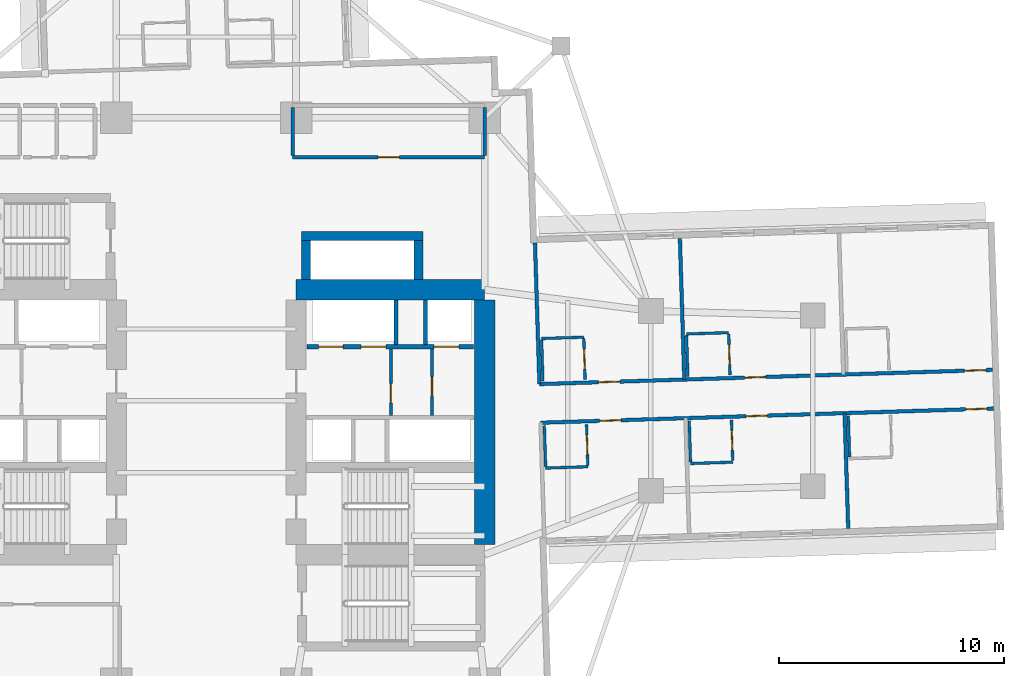
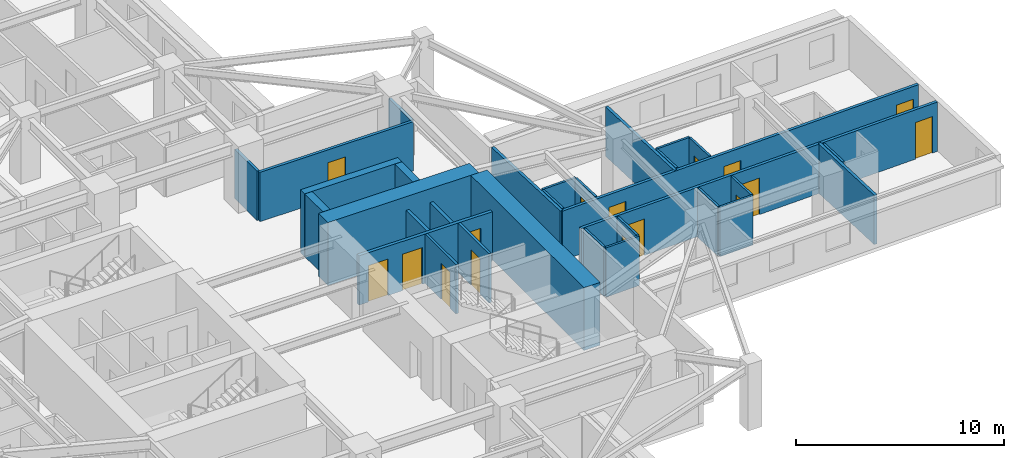
# One storey, part 7 of 14: 31 walls, 16 doors, 16 openings.
"""IFC4 building model written with IfcOpenShell, lengths in metres."""

from ifc_helpers import new_model, si_unit, direction, frame, frame_2d, origin, place, context, subcontext, project, spatial, rectangle, extrude, material, layer, layer_set, type_object, element, fill, save


model = new_model("IFC4")

# Units and contexts
model_context = context("Model", 3, precision=1e-05, world=origin(), true_north=direction((0.0, 1.0)))
body_context = subcontext(model_context, "Body", "Model", "MODEL_VIEW")
ifc_project = project(units=[si_unit("LENGTHUNIT", "METRE"), si_unit("AREAUNIT", "SQUARE_METRE"), si_unit("VOLUMEUNIT", "CUBIC_METRE"), si_unit("PLANEANGLEUNIT", "RADIAN"), si_unit("MASSUNIT", "GRAM", prefix="KILO")], contexts=[model_context])

# Site, building, storey
site_placement = place(None, origin())
site = spatial("IfcSite", under=ifc_project, at=site_placement, CompositionType="ELEMENT")
building_placement = place(site_placement, origin())
building = spatial("IfcBuilding", under=site, at=building_placement, Name="Qingluan Cross Belvedere", CompositionType="ELEMENT")
storey_placement = place(building_placement, frame((0.0, 0.0, 56.10009765625)))
storey = spatial("IfcBuildingStorey", under=building, at=storey_placement, Name="L14", CompositionType="ELEMENT", Elevation=56.10009765625)

# Walls
ifc_material_1 = material(Name="Concrete C50", Category="concrete")
ifc_layer_1 = layer(ifc_material_1, 0.449951171875, Name="CoreShearWall_450")
ifc_layer_set_1 = layer_set([ifc_layer_1], Name="Concrete C50")
wall_type_1 = type_object("IfcWallType", Name="CoreShearWall_450", PredefinedType="SHEAR", material=ifc_layer_set_1)
wall_1_placement = place(storey_placement, frame((4.449951171875, 5.405029296875, 0.0), z_axis=(0.0, 0.0, 1.0), x_axis=(0.0, 1.0, 0.0)))
element("IfcWall", 1, at=wall_1_placement, inside=storey, type_object=wall_type_1, Name="Express shuttle core wall L14-W", PredefinedType="SHEAR", context=body_context, shape_type="SweptSolid", body=[
    extrude(rectangle(XDim=1.73486328125, YDim=0.39990234375, at=frame_2d((0.867431640625, 0.0))), origin(), (0.0, 0.0, 1.0), 3.699951171875),
])
wall_2_placement = place(storey_placement, frame((4.25, 7.35009765625, 0.0), z_axis=(0.0, 0.0, 1.0), x_axis=(1.0, 0.0, 0.0)))
element("IfcWall", 2, at=wall_2_placement, inside=storey, type_object=wall_type_1, Name="Express shuttle core wall L14-N", PredefinedType="SHEAR", context=body_context, shape_type="SweptSolid", body=[
    extrude(rectangle(XDim=5.39990234375, YDim=0.39990234375, at=frame_2d((2.699951171875, 0.0))), origin(), (0.0, 0.0, 1.0), 3.699951171875),
])
wall_3_placement = place(storey_placement, frame((9.449951171875, 5.405029296875, 0.0), z_axis=(0.0, 0.0, 1.0), x_axis=(0.0, 1.0, 0.0)))
element("IfcWall", 3, at=wall_3_placement, inside=storey, type_object=wall_type_1, Name="Express shuttle core wall L14-E", PredefinedType="SHEAR", context=body_context, shape_type="SweptSolid", body=[
    extrude(rectangle(XDim=1.73486328125, YDim=0.39990234375, at=frame_2d((0.867431640625, 0.0))), origin(), (0.0, 0.0, 1.0), 3.699951171875),
])
ifc_material_2 = material(Name="Concrete C70", Category="concrete")
ifc_layer_2 = layer(ifc_material_2, 0.89990234375, Name="CoreShearWall_900")
ifc_layer_set_2 = layer_set([ifc_layer_2], Name="Concrete C70")
wall_type_2 = type_object("IfcWallType", Name="CoreShearWall_900", PredefinedType="SHEAR", material=ifc_layer_set_2)
wall_4_placement = place(storey_placement, frame((4.0, 4.949951171875, 0.0), z_axis=(0.0, 0.0, 1.0), x_axis=(1.0, 0.0, 0.0)))
element("IfcWall", 4, at=wall_4_placement, inside=storey, type_object=wall_type_2, Name="Split core E shear wall L14-N", PredefinedType="SHEAR", context=body_context, shape_type="SweptSolid", body=[
    extrude(rectangle(XDim=8.39990234375, YDim=0.89990234375, at=frame_2d((4.199951171875, 0.0))), origin(), (0.0, 0.0, 1.0), 3.699951171875),
])
wall_5_placement = place(storey_placement, frame((12.39990234375, -6.39501953125, 0.0), z_axis=(0.0, 0.0, 1.0), x_axis=(0.0, 1.0, 0.0)))
element("IfcWall", 5, at=wall_5_placement, inside=storey, type_object=wall_type_2, Name="Split core E shear wall L14-E", PredefinedType="SHEAR", context=body_context, shape_type="SweptSolid", body=[
    extrude(rectangle(XDim=10.89013671875, YDim=0.89990234375, at=frame_2d((5.445068359375, 0.0))), origin(), (0.0, 0.0, 1.0), 3.699951171875),
])

# Wall, opening, door
ifc_material_3 = material(Name="Gypsum plasterboard on steel stud acoustic partition", Category="steel")
ifc_layer_3 = layer(ifc_material_3, 0.159912109375, Name="CorridorPartition_160")
ifc_layer_set_3 = layer_set([ifc_layer_3], Name="Gypsum plasterboard on steel stud acoustic partition")
wall_type_3 = type_object("IfcWallType", Name="CorridorPartition_160", PredefinedType="PARTITIONING", material=ifc_layer_set_3)
wall_6_placement = place(storey_placement, frame((10.050048828125, -0.652099609375, 0.0), z_axis=(0.0, 0.0, 1.0), x_axis=(0.0, 1.0, 0.0)))
wall_6 = element("IfcWall", 6, at=wall_6_placement, inside=storey, type_object=wall_type_3, Name="Partition L14:ev", PredefinedType="PARTITIONING", context=body_context, shape_type="SweptSolid", body=[
    extrude(rectangle(XDim=2.962158203125, YDim=0.139892578125, at=frame_2d((1.48095703125, 0.0))), origin(), (0.0, 0.0, 1.0), 2.89990234375),
])
opening_1_placement = place(wall_6_placement, frame((0.85009765625, 0.0, 0.0)))
opening_1 = element("IfcOpeningElement", 7, at=opening_1_placement, cuts=wall_6, Name="Opening FD-B10", PredefinedType="OPENING", context=body_context, shape_type="SweptSolid", body=[
    extrude(rectangle(XDim=0.8798828125, YDim=2.10009765625, at=frame_2d((0.43994140625, 1.050048828125))), frame((0.0, 0.079833984375, 0.0), z_axis=(0.0, -1.0, 0.0), x_axis=(1.0, 0.0, 0.0)), (0.0, 0.0, 1.0), 0.159912109375),
])
ifc_material_4 = material(Name="Steel Class B service fire door", Category="steel")
door_type_1 = type_object("IfcDoorType", Name="RiserServiceFireDoor_FDB", OperationType="NOTDEFINED", PredefinedType="DOOR", material=ifc_material_4)
door_1_placement = place(opening_1_placement, origin())
door_1 = element("IfcDoor", 8, at=door_1_placement, inside=storey, type_object=door_type_1, Name="Service closet inner door L14", OperationType="SINGLE_SWING_LEFT", OverallHeight=2.10009765625, OverallWidth=0.8798828125, PredefinedType="DOOR", context=body_context, shape_type="SweptSolid", body=[
    extrude(rectangle(XDim=0.8798828125, YDim=2.10009765625, at=frame_2d((0.43994140625, 1.050048828125))), frame((0.0, 0.02490234375, 0.0), z_axis=(0.0, -1.0, 0.0), x_axis=(1.0, 0.0, 0.0)), (0.0, 0.0, 1.0), 0.050048828125),
])
fill(opening_1, door_1)

wall_7_placement = place(storey_placement, frame((3.85009765625, 10.85009765625, 0.0), z_axis=(0.0, 0.0, 1.0), x_axis=(1.0, 0.0, 0.0)))
wall_7 = element("IfcWall", 9, at=wall_7_placement, inside=storey, type_object=wall_type_3, Name="Partition L14:q_ne:S", PredefinedType="PARTITIONING", context=body_context, shape_type="SweptSolid", body=[
    extrude(rectangle(XDim=8.5498046875, YDim=0.159912109375, at=frame_2d((4.27490234375, 0.0))), origin(), (0.0, 0.0, 1.0), 2.89990234375),
])
opening_2_placement = place(wall_7_placement, frame((3.794921875, 0.0, 0.0)))
opening_2 = element("IfcOpeningElement", 10, at=opening_2_placement, cuts=wall_7, Name="Opening GD-10", PredefinedType="OPENING", context=body_context, shape_type="SweptSolid", body=[
    extrude(rectangle(XDim=0.9599609375, YDim=2.14990234375, at=frame_2d((0.47998046875, 1.074951171875))), frame((0.0, 0.08984375, 0.0), z_axis=(0.0, -1.0, 0.0), x_axis=(1.0, 0.0, 0.0)), (0.0, 0.0, 1.0), 0.179931640625),
])
ifc_material_5 = material(Name="Timber oak fire-rated acoustic guestroom door", Category="wood")
door_type_2 = type_object("IfcDoorType", Name="GuestEntryDoor_FD60", OperationType="NOTDEFINED", PredefinedType="DOOR", material=ifc_material_5)
door_2_placement = place(opening_2_placement, origin())
door_2 = element("IfcDoor", 11, at=door_2_placement, inside=storey, type_object=door_type_2, Name="Wellness yoga studio L14 door", OperationType="SINGLE_SWING_LEFT", OverallHeight=2.14990234375, OverallWidth=0.9599609375, PredefinedType="DOOR", context=body_context, shape_type="SweptSolid", body=[
    extrude(rectangle(XDim=0.9599609375, YDim=2.14990234375, at=frame_2d((0.47998046875, 1.074951171875))), frame((0.0, 0.02490234375, 0.0), z_axis=(0.0, -1.0, 0.0), x_axis=(1.0, 0.0, 0.0)), (0.0, 0.0, 1.0), 0.050048828125),
])
fill(opening_2, door_2)

# Walls
for number, where, z_axis, x_axis, name in (
    (12, (3.85009765625, 10.93505859375, 0.0), (0.0, 0.0, 1.0), (0.0, 1.0, 0.0), "Partition L14:q_ne:W"),
    (13, (12.39990234375, 10.93505859375, 0.0), (0.0, 0.0, 1.0), (0.0, 1.0, 0.0), "Partition L14:q_ne:E"),
):
    element("IfcWall", number, at=place(storey_placement, frame(where, z_axis=z_axis, x_axis=x_axis)), inside=storey, type_object=wall_type_3, Name=name, PredefinedType="PARTITIONING", context=body_context, shape_type="SweptSolid", body=[
        extrude(rectangle(XDim=2.1298828125, YDim=0.159912109375, at=frame_2d((1.06494140625, 0.0))), origin(), (0.0, 0.0, 1.0), 2.89990234375),
    ])

# Wall, openings, doors
wall_8_placement = place(storey_placement, frame((14.833984375, 0.746337890625, 0.0), z_axis=(0.0, 0.0, 1.0), x_axis=(0.99950639469, 0.031416030536, 0.0)))
wall_8 = element("IfcWall", 14, at=wall_8_placement, inside=storey, type_object=wall_type_3, Name="Partition L14:E:c0", PredefinedType="PARTITIONING", context=body_context, shape_type="SweptSolid", body=[
    extrude(rectangle(XDim=20.181884765625, YDim=0.159912109375, at=frame_2d((10.0908203125, 0.0))), origin(), (0.0, 0.0, 1.0), 2.89990234375),
])
opening_3_placement = place(wall_8_placement, frame((2.6259765625, 0.0, 0.0)))
opening_3 = element("IfcOpeningElement", 15, at=opening_3_placement, cuts=wall_8, Name="Opening GD-10", PredefinedType="OPENING", context=body_context, shape_type="SweptSolid", body=[
    extrude(rectangle(XDim=0.9599609375, YDim=2.14990234375, at=frame_2d((0.47998046875, 1.074951171875))), frame((0.0, 0.08984375, 0.0), z_axis=(0.0, -1.0, 0.0), x_axis=(1.0, 0.0, 0.0)), (0.0, 0.0, 1.0), 0.179931640625),
])
opening_4_placement = place(wall_8_placement, frame((9.14306640625, 0.0, 0.0)))
opening_4 = element("IfcOpeningElement", 16, at=opening_4_placement, cuts=wall_8, Name="Opening GD-10", PredefinedType="OPENING", context=body_context, shape_type="SweptSolid", body=[
    extrude(rectangle(XDim=0.9599609375, YDim=2.14990234375, at=frame_2d((0.47998046875, 1.074951171875))), frame((0.0, 0.08984375, 0.0), z_axis=(0.0, -1.0, 0.0), x_axis=(1.0, 0.0, 0.0)), (0.0, 0.0, 1.0), 0.179931640625),
])
opening_5_placement = place(wall_8_placement, frame((18.929931640625, 0.0, 0.0)))
opening_5 = element("IfcOpeningElement", 17, at=opening_5_placement, cuts=wall_8, Name="Opening GD-10", PredefinedType="OPENING", context=body_context, shape_type="SweptSolid", body=[
    extrude(rectangle(XDim=0.9599609375, YDim=2.14990234375, at=frame_2d((0.47998046875, 1.074951171875))), frame((0.0, 0.08984375, 0.0), z_axis=(0.0, -1.0, 0.0), x_axis=(1.0, 0.0, 0.0)), (0.0, 0.0, 1.0), 0.179931640625),
])
door_3_placement = place(opening_3_placement, origin())
door_3 = element("IfcDoor", 18, at=door_3_placement, inside=storey, type_object=door_type_2, Name="Guest entry fire door 1401", OperationType="SINGLE_SWING_LEFT", OverallHeight=2.14990234375, OverallWidth=0.9599609375, PredefinedType="DOOR", context=body_context, shape_type="SweptSolid", body=[
    extrude(rectangle(XDim=0.9599609375, YDim=2.14990234375, at=frame_2d((0.47998046875, 1.074951171875))), frame((0.0, 0.02490234375, 0.0), z_axis=(0.0, -1.0, 0.0), x_axis=(1.0, 0.0, 0.0)), (0.0, 0.0, 1.0), 0.050048828125),
])
fill(opening_3, door_3)
door_4_placement = place(opening_4_placement, origin())
door_4 = element("IfcDoor", 19, at=door_4_placement, inside=storey, type_object=door_type_2, Name="Guest entry fire door 1402", OperationType="SINGLE_SWING_LEFT", OverallHeight=2.14990234375, OverallWidth=0.9599609375, PredefinedType="DOOR", context=body_context, shape_type="SweptSolid", body=[
    extrude(rectangle(XDim=0.9599609375, YDim=2.14990234375, at=frame_2d((0.47998046875, 1.074951171875))), frame((0.0, 0.02490234375, 0.0), z_axis=(0.0, -1.0, 0.0), x_axis=(1.0, 0.0, 0.0)), (0.0, 0.0, 1.0), 0.050048828125),
])
fill(opening_4, door_4)
door_5_placement = place(opening_5_placement, origin())
door_5 = element("IfcDoor", 20, at=door_5_placement, inside=storey, type_object=door_type_2, Name="Guest entry fire door 1403", OperationType="SINGLE_SWING_LEFT", OverallHeight=2.14990234375, OverallWidth=0.9599609375, PredefinedType="DOOR", context=body_context, shape_type="SweptSolid", body=[
    extrude(rectangle(XDim=0.9599609375, YDim=2.14990234375, at=frame_2d((0.47998046875, 1.074951171875))), frame((0.0, 0.02490234375, 0.0), z_axis=(0.0, -1.0, 0.0), x_axis=(1.0, 0.0, 0.0)), (0.0, 0.0, 1.0), 0.050048828125),
])
fill(opening_5, door_5)

# Walls
for number, where, z_axis, x_axis, name in (
    (21, (14.833984375, 0.746337890625, 0.0), (0.0, 0.0, 1.0), (-0.031429784908, 0.999505962274, 0.0), "Partition L14:E:s0"),
    (22, (21.28564453125, 0.94921875, 0.0), (0.0, 0.0, 1.0), (-0.031429784908, 0.999505962274, 0.0), "Partition L14:E:d0_0"),
):
    element("IfcWall", number, at=place(storey_placement, frame(where, z_axis=z_axis, x_axis=x_axis)), inside=storey, type_object=wall_type_3, Name=name, PredefinedType="PARTITIONING", context=body_context, shape_type="SweptSolid", body=[
        extrude(rectangle(XDim=6.2919921875, YDim=0.159912109375, at=frame_2d((3.14599609375, 0.0))), origin(), (0.0, 0.0, 1.0), 2.89990234375),
    ])

# Wall, openings, doors
wall_9_placement = place(storey_placement, frame((14.887939453125, -0.972900390625, 0.0), z_axis=(0.0, 0.0, 1.0), x_axis=(0.99950639469, 0.031416030536, 0.0)))
wall_9 = element("IfcWall", 23, at=wall_9_placement, inside=storey, type_object=wall_type_3, Name="Partition L14:E:c1", PredefinedType="PARTITIONING", context=body_context, shape_type="SweptSolid", body=[
    extrude(rectangle(XDim=20.181884765625, YDim=0.159912109375, at=frame_2d((10.0908203125, 0.0))), origin(), (0.0, 0.0, 1.0), 2.89990234375),
])
opening_6_placement = place(wall_9_placement, frame((2.6259765625, 0.0, 0.0)))
opening_6 = element("IfcOpeningElement", 24, at=opening_6_placement, cuts=wall_9, Name="Opening GD-10", PredefinedType="OPENING", context=body_context, shape_type="SweptSolid", body=[
    extrude(rectangle(XDim=0.9599609375, YDim=2.14990234375, at=frame_2d((0.47998046875, 1.074951171875))), frame((0.0, 0.08984375, 0.0), z_axis=(0.0, -1.0, 0.0), x_axis=(1.0, 0.0, 0.0)), (0.0, 0.0, 1.0), 0.179931640625),
])
opening_7_placement = place(wall_9_placement, frame((9.14306640625, 0.0, 0.0)))
opening_7 = element("IfcOpeningElement", 25, at=opening_7_placement, cuts=wall_9, Name="Opening GD-10", PredefinedType="OPENING", context=body_context, shape_type="SweptSolid", body=[
    extrude(rectangle(XDim=0.9599609375, YDim=2.14990234375, at=frame_2d((0.47998046875, 1.074951171875))), frame((0.0, 0.08984375, 0.0), z_axis=(0.0, -1.0, 0.0), x_axis=(1.0, 0.0, 0.0)), (0.0, 0.0, 1.0), 0.179931640625),
])
opening_8_placement = place(wall_9_placement, frame((18.929931640625, 0.0, 0.0)))
opening_8 = element("IfcOpeningElement", 26, at=opening_8_placement, cuts=wall_9, Name="Opening GD-10", PredefinedType="OPENING", context=body_context, shape_type="SweptSolid", body=[
    extrude(rectangle(XDim=0.9599609375, YDim=2.14990234375, at=frame_2d((0.47998046875, 1.074951171875))), frame((0.0, 0.08984375, 0.0), z_axis=(0.0, -1.0, 0.0), x_axis=(1.0, 0.0, 0.0)), (0.0, 0.0, 1.0), 0.179931640625),
])
door_6_placement = place(opening_6_placement, origin())
door_6 = element("IfcDoor", 27, at=door_6_placement, inside=storey, type_object=door_type_2, Name="Guest entry fire door 1404", OperationType="SINGLE_SWING_LEFT", OverallHeight=2.14990234375, OverallWidth=0.9599609375, PredefinedType="DOOR", context=body_context, shape_type="SweptSolid", body=[
    extrude(rectangle(XDim=0.9599609375, YDim=2.14990234375, at=frame_2d((0.47998046875, 1.074951171875))), frame((0.0, 0.02490234375, 0.0), z_axis=(0.0, -1.0, 0.0), x_axis=(1.0, 0.0, 0.0)), (0.0, 0.0, 1.0), 0.050048828125),
])
fill(opening_6, door_6)
door_7_placement = place(opening_7_placement, origin())
door_7 = element("IfcDoor", 28, at=door_7_placement, inside=storey, type_object=door_type_2, Name="Guest entry fire door 1405", OperationType="SINGLE_SWING_LEFT", OverallHeight=2.14990234375, OverallWidth=0.9599609375, PredefinedType="DOOR", context=body_context, shape_type="SweptSolid", body=[
    extrude(rectangle(XDim=0.9599609375, YDim=2.14990234375, at=frame_2d((0.47998046875, 1.074951171875))), frame((0.0, 0.02490234375, 0.0), z_axis=(0.0, -1.0, 0.0), x_axis=(1.0, 0.0, 0.0)), (0.0, 0.0, 1.0), 0.050048828125),
])
fill(opening_7, door_7)
door_8_placement = place(opening_8_placement, origin())
door_8 = element("IfcDoor", 29, at=door_8_placement, inside=storey, type_object=door_type_2, Name="Guest entry fire door 1406", OperationType="SINGLE_SWING_LEFT", OverallHeight=2.14990234375, OverallWidth=0.9599609375, PredefinedType="DOOR", context=body_context, shape_type="SweptSolid", body=[
    extrude(rectangle(XDim=0.9599609375, YDim=2.14990234375, at=frame_2d((0.47998046875, 1.074951171875))), frame((0.0, 0.02490234375, 0.0), z_axis=(0.0, -1.0, 0.0), x_axis=(1.0, 0.0, 0.0)), (0.0, 0.0, 1.0), 0.050048828125),
])
fill(opening_8, door_8)

# Wall
wall_10_placement = place(storey_placement, frame((28.421142578125, -0.547607421875, 0.0), z_axis=(0.0, 0.0, 1.0), x_axis=(0.031445650224, -0.999505463258, 0.0)))
element("IfcWall", 30, at=wall_10_placement, inside=storey, type_object=wall_type_3, Name="Partition L14:E:d1_1", PredefinedType="PARTITIONING", context=body_context, shape_type="SweptSolid", body=[
    extrude(rectangle(XDim=5.1318359375, YDim=0.159912109375, at=frame_2d((2.56591796875, 0.0))), origin(), (0.0, 0.0, 1.0), 2.89990234375),
])

# Wall, opening, door
ifc_material_6 = material(Name="Moisture-resistant gypsum board lining")
ifc_layer_4 = layer(ifc_material_6, 0.1201171875, Name="EnsuiteWetPartition_120")
ifc_layer_set_4 = layer_set([ifc_layer_4], Name="Moisture-resistant gypsum board lining")
wall_type_4 = type_object("IfcWallType", Name="EnsuiteWetPartition_120", PredefinedType="PARTITIONING", material=ifc_layer_set_4)
wall_11_placement = place(storey_placement, frame((16.868408203125, 0.9501953125, 0.0), z_axis=(0.0, 0.0, 1.0), x_axis=(-0.031389704724, 0.999507221803, 0.0)))
wall_11 = element("IfcWall", 31, at=wall_11_placement, inside=storey, type_object=wall_type_4, Name="Partition L14:E:bs0_0", PredefinedType="PARTITIONING", context=body_context, shape_type="SweptSolid", body=[
    extrude(rectangle(XDim=1.820068359375, YDim=0.1201171875, at=frame_2d((0.91015625, 0.0))), origin(), (0.0, 0.0, 1.0), 2.89990234375),
])
opening_9_placement = place(wall_11_placement, frame((0.469970703125, 0.0, 0.0)))
opening_9 = element("IfcOpeningElement", 32, at=opening_9_placement, cuts=wall_11, Name="Opening BD-09", PredefinedType="OPENING", context=body_context, shape_type="SweptSolid", body=[
    extrude(rectangle(XDim=0.8798828125, YDim=2.10009765625, at=frame_2d((0.43994140625, 1.050048828125))), frame((0.0, 0.070068359375, 0.0), z_axis=(0.0, -1.0, 0.0), x_axis=(1.0, 0.0, 0.0)), (0.0, 0.0, 1.0), 0.14013671875),
])
ifc_material_7 = material(Name="Moisture-sealed timber en-suite door", Category="wood")
door_type_3 = type_object("IfcDoorType", Name="BathroomDoor_880", OperationType="NOTDEFINED", PredefinedType="DOOR", material=ifc_material_7)
door_9_placement = place(opening_9_placement, origin())
door_9 = element("IfcDoor", 33, at=door_9_placement, inside=storey, type_object=door_type_3, Name="Bathroom door 1401", OperationType="SINGLE_SWING_RIGHT", OverallHeight=2.10009765625, OverallWidth=0.8798828125, PredefinedType="DOOR", context=body_context, shape_type="SweptSolid", body=[
    extrude(rectangle(XDim=0.8798828125, YDim=2.10009765625, at=frame_2d((0.43994140625, 1.050048828125))), frame((0.0, 0.02490234375, 0.0), z_axis=(0.0, -1.0, 0.0), x_axis=(1.0, 0.0, 0.0)), (0.0, 0.0, 1.0), 0.050048828125),
])
fill(opening_9, door_9)

# Walls
wall_12_placement = place(storey_placement, frame((14.989501953125, 0.891357421875, 0.0), z_axis=(0.0, 0.0, 1.0), x_axis=(-0.03152371574, 0.999503004171, 0.0)))
element("IfcWall", 34, at=wall_12_placement, inside=storey, type_object=wall_type_4, Name="Partition L14:E:bw0_0", PredefinedType="PARTITIONING", context=body_context, shape_type="SweptSolid", body=[
    extrude(rectangle(XDim=1.820068359375, YDim=0.1201171875, at=frame_2d((0.91015625, 0.0))), origin(), (0.0, 0.0, 1.0), 2.89990234375),
])
wall_13_placement = place(storey_placement, frame((14.93017578125, 2.775390625, 0.0), z_axis=(0.0, 0.0, 1.0), x_axis=(0.999506103526, 0.031425292588, 0.0)))
element("IfcWall", 35, at=wall_13_placement, inside=storey, type_object=wall_type_4, Name="Partition L14:E:bn0_0", PredefinedType="PARTITIONING", context=body_context, shape_type="SweptSolid", body=[
    extrude(rectangle(XDim=1.880126953125, YDim=0.1201171875, at=frame_2d((0.93994140625, 0.0))), origin(), (0.0, 0.0, 1.0), 2.89990234375),
])

# Wall, opening, door
wall_14_placement = place(storey_placement, frame((23.3203125, 1.153076171875, 0.0), z_axis=(0.0, 0.0, 1.0), x_axis=(-0.031389704724, 0.999507221803, 0.0)))
wall_14 = element("IfcWall", 36, at=wall_14_placement, inside=storey, type_object=wall_type_4, Name="Partition L14:E:bs0_1", PredefinedType="PARTITIONING", context=body_context, shape_type="SweptSolid", body=[
    extrude(rectangle(XDim=1.820068359375, YDim=0.1201171875, at=frame_2d((0.91015625, 0.0))), origin(), (0.0, 0.0, 1.0), 2.89990234375),
])
opening_10_placement = place(wall_14_placement, frame((0.469970703125, 0.0, 0.0)))
opening_10 = element("IfcOpeningElement", 37, at=opening_10_placement, cuts=wall_14, Name="Opening BD-09", PredefinedType="OPENING", context=body_context, shape_type="SweptSolid", body=[
    extrude(rectangle(XDim=0.8798828125, YDim=2.10009765625, at=frame_2d((0.43994140625, 1.050048828125))), frame((0.0, 0.070068359375, 0.0), z_axis=(0.0, -1.0, 0.0), x_axis=(1.0, 0.0, 0.0)), (0.0, 0.0, 1.0), 0.14013671875),
])
door_10_placement = place(opening_10_placement, origin())
door_10 = element("IfcDoor", 38, at=door_10_placement, inside=storey, type_object=door_type_3, Name="Bathroom door 1402", OperationType="SINGLE_SWING_RIGHT", OverallHeight=2.10009765625, OverallWidth=0.8798828125, PredefinedType="DOOR", context=body_context, shape_type="SweptSolid", body=[
    extrude(rectangle(XDim=0.8798828125, YDim=2.10009765625, at=frame_2d((0.43994140625, 1.050048828125))), frame((0.0, 0.02490234375, 0.0), z_axis=(0.0, -1.0, 0.0), x_axis=(1.0, 0.0, 0.0)), (0.0, 0.0, 1.0), 0.050048828125),
])
fill(opening_10, door_10)

# Walls
wall_15_placement = place(storey_placement, frame((21.441162109375, 1.093994140625, 0.0), z_axis=(0.0, 0.0, 1.0), x_axis=(-0.031389704724, 0.999507221803, 0.0)))
element("IfcWall", 39, at=wall_15_placement, inside=storey, type_object=wall_type_4, Name="Partition L14:E:bw0_1", PredefinedType="PARTITIONING", context=body_context, shape_type="SweptSolid", body=[
    extrude(rectangle(XDim=1.820068359375, YDim=0.1201171875, at=frame_2d((0.91015625, 0.0))), origin(), (0.0, 0.0, 1.0), 2.89990234375),
])
wall_16_placement = place(storey_placement, frame((21.382080078125, 2.97802734375, 0.0), z_axis=(0.0, 0.0, 1.0), x_axis=(0.999505975261, 0.031429371883, 0.0)))
element("IfcWall", 40, at=wall_16_placement, inside=storey, type_object=wall_type_4, Name="Partition L14:E:bn0_1", PredefinedType="PARTITIONING", context=body_context, shape_type="SweptSolid", body=[
    extrude(rectangle(XDim=1.8798828125, YDim=0.1201171875, at=frame_2d((0.93994140625, 0.0))), origin(), (0.0, 0.0, 1.0), 2.89990234375),
])

# Wall, opening, door
wall_17_placement = place(storey_placement, frame((16.988525390625, -2.867919921875, 0.0), z_axis=(0.0, 0.0, 1.0), x_axis=(-0.031385496622, 0.999507353951, 0.0)))
wall_17 = element("IfcWall", 41, at=wall_17_placement, inside=storey, type_object=wall_type_4, Name="Partition L14:E:bs1_0", PredefinedType="PARTITIONING", context=body_context, shape_type="SweptSolid", body=[
    extrude(rectangle(XDim=1.8203125, YDim=0.1201171875, at=frame_2d((0.91015625, 0.0))), origin(), (0.0, 0.0, 1.0), 2.89990234375),
])
opening_11_placement = place(wall_17_placement, frame((0.469970703125, 0.0, 0.0)))
opening_11 = element("IfcOpeningElement", 42, at=opening_11_placement, cuts=wall_17, Name="Opening BD-09", PredefinedType="OPENING", context=body_context, shape_type="SweptSolid", body=[
    extrude(rectangle(XDim=0.8798828125, YDim=2.10009765625, at=frame_2d((0.43994140625, 1.050048828125))), frame((0.0, 0.070068359375, 0.0), z_axis=(0.0, -1.0, 0.0), x_axis=(1.0, 0.0, 0.0)), (0.0, 0.0, 1.0), 0.14013671875),
])
door_11_placement = place(opening_11_placement, origin())
door_11 = element("IfcDoor", 43, at=door_11_placement, inside=storey, type_object=door_type_3, Name="Bathroom door 1404", OperationType="SINGLE_SWING_RIGHT", OverallHeight=2.10009765625, OverallWidth=0.8798828125, PredefinedType="DOOR", context=body_context, shape_type="SweptSolid", body=[
    extrude(rectangle(XDim=0.8798828125, YDim=2.10009765625, at=frame_2d((0.43994140625, 1.050048828125))), frame((0.0, 0.02490234375, 0.0), z_axis=(0.0, -1.0, 0.0), x_axis=(1.0, 0.0, 0.0)), (0.0, 0.0, 1.0), 0.050048828125),
])
fill(opening_11, door_11)

# Walls
wall_18_placement = place(storey_placement, frame((15.109375, -2.9267578125, 0.0), z_axis=(0.0, 0.0, 1.0), x_axis=(-0.031389704724, 0.999507221803, 0.0)))
element("IfcWall", 44, at=wall_18_placement, inside=storey, type_object=wall_type_4, Name="Partition L14:E:bw1_0", PredefinedType="PARTITIONING", context=body_context, shape_type="SweptSolid", body=[
    extrude(rectangle(XDim=1.820068359375, YDim=0.1201171875, at=frame_2d((0.91015625, 0.0))), origin(), (0.0, 0.0, 1.0), 2.89990234375),
])
wall_19_placement = place(storey_placement, frame((15.111328125, -2.99169921875, 0.0), z_axis=(0.0, 0.0, 1.0), x_axis=(0.999510173889, 0.031295563454, 0.0)))
element("IfcWall", 45, at=wall_19_placement, inside=storey, type_object=wall_type_4, Name="Partition L14:E:bc1_0", PredefinedType="PARTITIONING", context=body_context, shape_type="SweptSolid", body=[
    extrude(rectangle(XDim=1.880126953125, YDim=0.1201171875, at=frame_2d((0.93994140625, 0.0))), origin(), (0.0, 0.0, 1.0), 2.89990234375),
])

# Wall, opening, door
wall_20_placement = place(storey_placement, frame((23.440185546875, -2.6650390625, 0.0), z_axis=(0.0, 0.0, 1.0), x_axis=(-0.031389704724, 0.999507221803, 0.0)))
wall_20 = element("IfcWall", 46, at=wall_20_placement, inside=storey, type_object=wall_type_4, Name="Partition L14:E:bs1_1", PredefinedType="PARTITIONING", context=body_context, shape_type="SweptSolid", body=[
    extrude(rectangle(XDim=1.820068359375, YDim=0.1201171875, at=frame_2d((0.91015625, 0.0))), origin(), (0.0, 0.0, 1.0), 2.89990234375),
])
opening_12_placement = place(wall_20_placement, frame((0.469970703125, 0.0, 0.0)))
opening_12 = element("IfcOpeningElement", 47, at=opening_12_placement, cuts=wall_20, Name="Opening BD-09", PredefinedType="OPENING", context=body_context, shape_type="SweptSolid", body=[
    extrude(rectangle(XDim=0.8798828125, YDim=2.10009765625, at=frame_2d((0.43994140625, 1.050048828125))), frame((0.0, 0.070068359375, 0.0), z_axis=(0.0, -1.0, 0.0), x_axis=(1.0, 0.0, 0.0)), (0.0, 0.0, 1.0), 0.14013671875),
])
door_12_placement = place(opening_12_placement, origin())
door_12 = element("IfcDoor", 48, at=door_12_placement, inside=storey, type_object=door_type_3, Name="Bathroom door 1405", OperationType="SINGLE_SWING_RIGHT", OverallHeight=2.10009765625, OverallWidth=0.8798828125, PredefinedType="DOOR", context=body_context, shape_type="SweptSolid", body=[
    extrude(rectangle(XDim=0.8798828125, YDim=2.10009765625, at=frame_2d((0.43994140625, 1.050048828125))), frame((0.0, 0.02490234375, 0.0), z_axis=(0.0, -1.0, 0.0), x_axis=(1.0, 0.0, 0.0)), (0.0, 0.0, 1.0), 0.050048828125),
])
fill(opening_12, door_12)

# Walls
wall_21_placement = place(storey_placement, frame((21.561279296875, -2.72412109375, 0.0), z_axis=(0.0, 0.0, 1.0), x_axis=(-0.03152371574, 0.999503004171, 0.0)))
element("IfcWall", 49, at=wall_21_placement, inside=storey, type_object=wall_type_4, Name="Partition L14:E:bw1_1", PredefinedType="PARTITIONING", context=body_context, shape_type="SweptSolid", body=[
    extrude(rectangle(XDim=1.820068359375, YDim=0.1201171875, at=frame_2d((0.91015625, 0.0))), origin(), (0.0, 0.0, 1.0), 2.89990234375),
])
wall_22_placement = place(storey_placement, frame((21.563232421875, -2.7890625, 0.0), z_axis=(0.0, 0.0, 1.0), x_axis=(0.999506103526, 0.031425292588, 0.0)))
element("IfcWall", 50, at=wall_22_placement, inside=storey, type_object=wall_type_4, Name="Partition L14:E:bc1_1", PredefinedType="PARTITIONING", context=body_context, shape_type="SweptSolid", body=[
    extrude(rectangle(XDim=1.880126953125, YDim=0.1201171875, at=frame_2d((0.93994140625, 0.0))), origin(), (0.0, 0.0, 1.0), 2.89990234375),
])
wall_23_placement = place(storey_placement, frame((28.642578125, -2.50146484375, 0.0), z_axis=(0.0, 0.0, 1.0), x_axis=(-0.031389704724, 0.999507221803, 0.0)))
element("IfcWall", 51, at=wall_23_placement, inside=storey, type_object=wall_type_4, Name="Partition L14:E:bw1_2", PredefinedType="PARTITIONING", context=body_context, shape_type="SweptSolid", body=[
    extrude(rectangle(XDim=1.820068359375, YDim=0.1201171875, at=frame_2d((0.91015625, 0.0))), origin(), (0.0, 0.0, 1.0), 2.89990234375),
])

# Wall, openings, doors
ifc_material_8 = material(Name="Concrete C40", Category="concrete")
ifc_layer_5 = layer(ifc_material_8, 0.219970703125, Name="ShaftEnclosureWall_250")
ifc_layer_set_5 = layer_set([ifc_layer_5], Name="Concrete C40")
wall_type_5 = type_object("IfcWallType", Name="ShaftEnclosureWall_250", PredefinedType="SOLIDWALL", material=ifc_layer_set_5)
wall_24_placement = place(storey_placement, frame((4.47998046875, 2.409912109375, 0.0), z_axis=(0.0, 0.0, 1.0), x_axis=(1.0, 0.0, 0.0)))
wall_24 = element("IfcWall", 52, at=wall_24_placement, inside=storey, type_object=wall_type_5, Name="Core-E north hoistway wall L14", PredefinedType="SOLIDWALL", context=body_context, shape_type="SweptSolid", body=[
    extrude(rectangle(XDim=7.419921875, YDim=0.179931640625, at=frame_2d((3.7099609375, 0.0))), origin(), (0.0, 0.0, 1.0), 2.89990234375),
])
opening_13_placement = place(wall_24_placement, frame((5.669921875, 0.0, 0.0)))
opening_13 = element("IfcOpeningElement", 53, at=opening_13_placement, cuts=wall_24, Name="Opening LD-11", PredefinedType="OPENING", context=body_context, shape_type="SweptSolid", body=[
    extrude(rectangle(XDim=1.10009765625, YDim=2.14990234375, at=frame_2d((0.550048828125, 1.074951171875))), frame((0.0, 0.099853515625, 0.0), z_axis=(0.0, -1.0, 0.0), x_axis=(1.0, 0.0, 0.0)), (0.0, 0.0, 1.0), 0.199951171875),
])
opening_14_placement = place(wall_24_placement, frame((0.52001953125, 0.0, 0.0)))
opening_14 = element("IfcOpeningElement", 54, at=opening_14_placement, cuts=wall_24, Name="Opening LD-11", PredefinedType="OPENING", context=body_context, shape_type="SweptSolid", body=[
    extrude(rectangle(XDim=1.10009765625, YDim=2.14990234375, at=frame_2d((0.550048828125, 1.074951171875))), frame((0.0, 0.099853515625, 0.0), z_axis=(0.0, -1.0, 0.0), x_axis=(1.0, 0.0, 0.0)), (0.0, 0.0, 1.0), 0.199951171875),
])
opening_15_placement = place(wall_24_placement, frame((2.419921875, 0.0, 0.0)))
opening_15 = element("IfcOpeningElement", 55, at=opening_15_placement, cuts=wall_24, Name="Opening LD-11", PredefinedType="OPENING", context=body_context, shape_type="SweptSolid", body=[
    extrude(rectangle(XDim=1.10009765625, YDim=2.14990234375, at=frame_2d((0.550048828125, 1.074951171875))), frame((0.0, 0.099853515625, 0.0), z_axis=(0.0, -1.0, 0.0), x_axis=(1.0, 0.0, 0.0)), (0.0, 0.0, 1.0), 0.199951171875),
])
ifc_material_9 = material(Name="Brushed stainless steel centre-opening lift landing door", Category="steel")
door_type_4 = type_object("IfcDoorType", Name="LiftLandingSlidingDoor_1100", OperationType="DOUBLE_DOOR_SLIDING", PredefinedType="DOOR", material=ifc_material_9)
door_13_placement = place(opening_13_placement, origin())
door_13 = element("IfcDoor", 56, at=door_13_placement, inside=storey, type_object=door_type_4, Name="Lift landing sliding door FL2 L14", OperationType="DOUBLE_DOOR_SLIDING", OverallHeight=2.14990234375, OverallWidth=1.10009765625, PredefinedType="DOOR", context=body_context, shape_type="SweptSolid", body=[
    extrude(rectangle(XDim=1.10009765625, YDim=2.14990234375, at=frame_2d((0.550048828125, 1.074951171875))), frame((0.0, 0.02490234375, 0.0), z_axis=(0.0, -1.0, 0.0), x_axis=(1.0, 0.0, 0.0)), (0.0, 0.0, 1.0), 0.050048828125),
])
fill(opening_13, door_13)
door_14_placement = place(opening_14_placement, origin())
door_14 = element("IfcDoor", 57, at=door_14_placement, inside=storey, type_object=door_type_4, Name="Lift landing sliding door LP3 L14", OperationType="DOUBLE_DOOR_SLIDING", OverallHeight=2.14990234375, OverallWidth=1.10009765625, PredefinedType="DOOR", context=body_context, shape_type="SweptSolid", body=[
    extrude(rectangle(XDim=1.10009765625, YDim=2.14990234375, at=frame_2d((0.550048828125, 1.074951171875))), frame((0.0, 0.02490234375, 0.0), z_axis=(0.0, -1.0, 0.0), x_axis=(1.0, 0.0, 0.0)), (0.0, 0.0, 1.0), 0.050048828125),
])
fill(opening_14, door_14)
door_15_placement = place(opening_15_placement, origin())
door_15 = element("IfcDoor", 58, at=door_15_placement, inside=storey, type_object=door_type_4, Name="Lift landing sliding door LP4 L14", OperationType="DOUBLE_DOOR_SLIDING", OverallHeight=2.14990234375, OverallWidth=1.10009765625, PredefinedType="DOOR", context=body_context, shape_type="SweptSolid", body=[
    extrude(rectangle(XDim=1.10009765625, YDim=2.14990234375, at=frame_2d((0.550048828125, 1.074951171875))), frame((0.0, 0.02490234375, 0.0), z_axis=(0.0, -1.0, 0.0), x_axis=(1.0, 0.0, 0.0)), (0.0, 0.0, 1.0), 0.050048828125),
])
fill(opening_15, door_15)

# Walls
for number, where, z_axis, x_axis, name in (
    (59, (8.43994140625, 2.5, 0.0), (0.0, 0.0, 1.0), (0.0, 1.0, 0.0), "Hoistway enclosure divider LP4E L14"),
    (60, (9.760009765625, 2.5, 0.0), (0.0, 0.0, 1.0), (0.0, 1.0, 0.0), "Hoistway enclosure divider FL2W L14"),
):
    element("IfcWall", number, at=place(storey_placement, frame(where, z_axis=z_axis, x_axis=x_axis)), inside=storey, type_object=wall_type_5, Name=name, PredefinedType="SOLIDWALL", context=body_context, shape_type="SweptSolid", body=[
        extrude(rectangle(XDim=1.989990234375, YDim=0.179931640625, at=frame_2d((0.9951171875, 0.0))), origin(), (0.0, 0.0, 1.0), 2.89990234375),
    ])

# Wall, opening, door
wall_25_placement = place(storey_placement, frame((8.219970703125, -0.64990234375, 0.0), z_axis=(0.0, 0.0, 1.0), x_axis=(0.0, 1.0, 0.0)))
wall_25 = element("IfcWall", 61, at=wall_25_placement, inside=storey, type_object=wall_type_5, Name="Core-E service corridor wall L14", PredefinedType="SOLIDWALL", context=body_context, shape_type="SweptSolid", body=[
    extrude(rectangle(XDim=2.9599609375, YDim=0.139892578125, at=frame_2d((1.47998046875, 0.0))), origin(), (0.0, 0.0, 1.0), 2.89990234375),
])
opening_16_placement = place(wall_25_placement, frame((0.550048828125, 0.0, 0.0)))
opening_16 = element("IfcOpeningElement", 62, at=opening_16_placement, cuts=wall_25, Name="Opening FD-B10", PredefinedType="OPENING", context=body_context, shape_type="SweptSolid", body=[
    extrude(rectangle(XDim=0.8798828125, YDim=2.10009765625, at=frame_2d((0.43994140625, 1.050048828125))), frame((0.0, 0.079833984375, 0.0), z_axis=(0.0, -1.0, 0.0), x_axis=(1.0, 0.0, 0.0)), (0.0, 0.0, 1.0), 0.159912109375),
])
door_16_placement = place(opening_16_placement, origin())
door_16 = element("IfcDoor", 63, at=door_16_placement, inside=storey, type_object=door_type_1, Name="Core-E service room door L14", OperationType="SINGLE_SWING_LEFT", OverallHeight=2.10009765625, OverallWidth=0.8798828125, PredefinedType="DOOR", context=body_context, shape_type="SweptSolid", body=[
    extrude(rectangle(XDim=0.8798828125, YDim=2.10009765625, at=frame_2d((0.43994140625, 1.050048828125))), frame((0.0, 0.02490234375, 0.0), z_axis=(0.0, -1.0, 0.0), x_axis=(1.0, 0.0, 0.0)), (0.0, 0.0, 1.0), 0.050048828125),
])
fill(opening_16, door_16)

save(model, "model.ifc")
